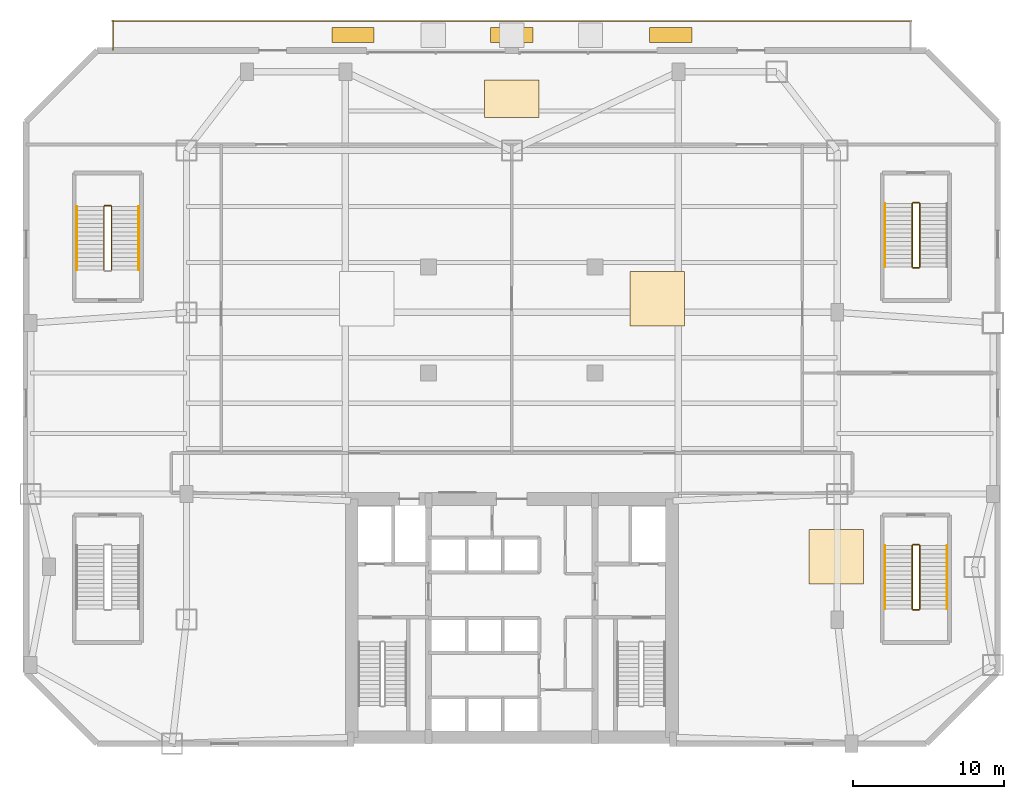
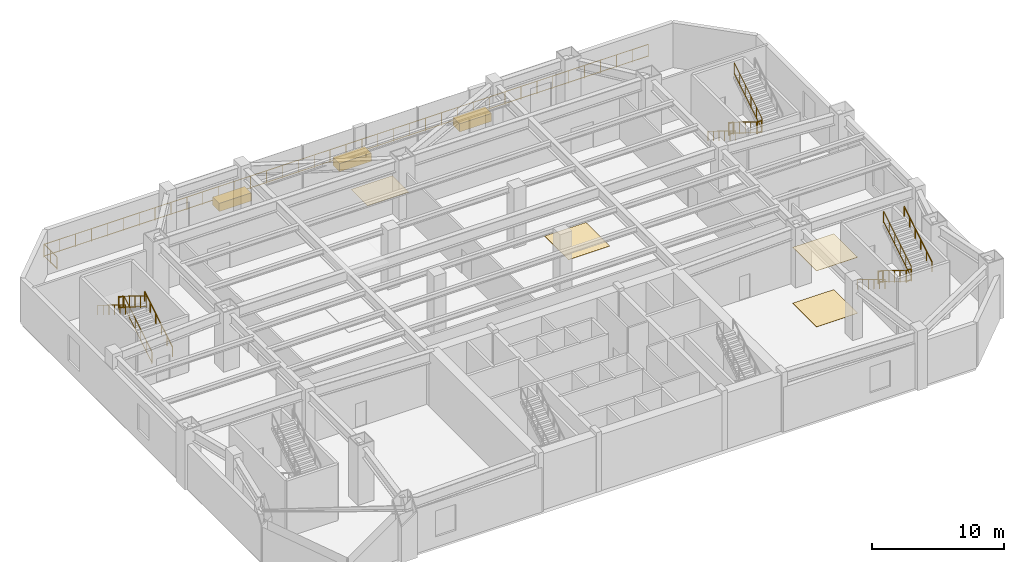
# One storey, part 8 of 9: 18 railings, 7 coverings.
"""IFC4 building model written with IfcOpenShell, lengths in metres."""

from ifc_helpers import new_model, si_unit, direction, frame, origin, origin_2d, place, context, subcontext, project, spatial, rectangle, extrude, source, transform, mapped, material, layer, layer_set, type_object, type_shapes, element, save


model = new_model("IFC4")

# Units and contexts
model_context = context("Model", 3, precision=1e-05, world=origin(), true_north=direction((0.0, 1.0)))
body_context = subcontext(model_context, "Body", "Model", "MODEL_VIEW")
ifc_project = project(units=[si_unit("LENGTHUNIT", "METRE"), si_unit("AREAUNIT", "SQUARE_METRE"), si_unit("VOLUMEUNIT", "CUBIC_METRE"), si_unit("PLANEANGLEUNIT", "RADIAN"), si_unit("MASSUNIT", "GRAM", prefix="KILO")], contexts=[model_context])

# Site, building, storey
site_placement = place(None, origin())
site = spatial("IfcSite", under=ifc_project, at=site_placement, CompositionType="ELEMENT")
building_placement = place(site_placement, origin())
building = spatial("IfcBuilding", under=site, at=building_placement, Name="Varnakhor Terracotta Tower", CompositionType="ELEMENT")
storey_placement = place(building_placement, frame((0.0, 0.0, 11.0)))
storey = spatial("IfcBuildingStorey", under=building, at=storey_placement, Name="L02", CompositionType="ELEMENT", Elevation=11.0)

# Railings
ifc_material_1 = material(Name="Painted Steel Stairwell Guardrail", Category="steel")
railing_type_1 = type_object("IfcRailingType", Name="RLG-STAIR-GUARD-1120", PredefinedType="GUARDRAIL", material=ifc_material_1)
railing_1_placement = place(storey_placement, frame((26.449951171875, 13.10009765625, 0.171875)))
element("IfcRailing", 1, at=railing_1_placement, inside=storey, type_object=railing_type_1, Name="L02 ST-P2 stair guard 1", PredefinedType="GUARDRAIL", context=body_context, shape_type="SweptSolid", body=[
    extrude(rectangle(XDim=0.048095703125, YDim=0.048095703125, at=origin_2d()), frame((0.0, 0.0, 1.09619140625), z_axis=(0.0, -0.852256472501, 0.523124177495), x_axis=(1.0, 0.0, 0.0)), (0.0, 0.0, 1.0), 4.92822265625),
    extrude(rectangle(XDim=0.048095703125, YDim=0.048095703125, at=origin_2d()), frame((0.0, 0.0, 0.10009765625), z_axis=(0.0, -0.852256472501, 0.523124177495), x_axis=(1.0, 0.0, 0.0)), (0.0, 0.0, 1.0), 4.92822265625),
    extrude(rectangle(XDim=0.0419921875, YDim=0.0419921875, at=origin_2d()), origin(), (0.0, 0.0, 1.0), 1.072021484375),
    extrude(rectangle(XDim=0.0419921875, YDim=0.0419921875, at=origin_2d()), frame((0.0, -0.840087890625, 0.515625)), (0.0, 0.0, 1.0), 1.072021484375),
    extrude(rectangle(XDim=0.0419921875, YDim=0.0419921875, at=origin_2d()), frame((0.0, -1.68017578125, 1.03125)), (0.0, 0.0, 1.0), 1.072021484375),
    extrude(rectangle(XDim=0.0419921875, YDim=0.0419921875, at=origin_2d()), frame((0.0, -2.52001953125, 1.546875)), (0.0, 0.0, 1.0), 1.072021484375),
    extrude(rectangle(XDim=0.0419921875, YDim=0.0419921875, at=origin_2d()), frame((0.0, -3.360107421875, 2.0625)), (0.0, 0.0, 1.0), 1.072021484375),
    extrude(rectangle(XDim=0.0419921875, YDim=0.0419921875, at=origin_2d()), frame((0.0, -4.2001953125, 2.578125)), (0.0, 0.0, 1.0), 1.072021484375),
])
railing_2_placement = place(storey_placement, frame((26.5, 8.85009765625, 2.75)))
element("IfcRailing", 2, at=railing_2_placement, inside=storey, type_object=railing_type_1, Name="L02 ST-P2 stair guard 2", PredefinedType="GUARDRAIL", context=body_context, shape_type="SweptSolid", body=[
    extrude(rectangle(XDim=0.048095703125, YDim=0.048095703125, at=origin_2d()), frame((0.0, 0.0, 1.09619140625), z_axis=(1.0, 0.0, 0.0), x_axis=(0.0, 1.0, 0.0)), (0.0, 0.0, 1.0), 0.39990234375),
    extrude(rectangle(XDim=0.048095703125, YDim=0.048095703125, at=origin_2d()), frame((0.0, 0.0, 0.10009765625), z_axis=(1.0, 0.0, 0.0), x_axis=(0.0, 1.0, 0.0)), (0.0, 0.0, 1.0), 0.39990234375),
    extrude(rectangle(XDim=0.0419921875, YDim=0.0419921875, at=origin_2d()), origin(), (0.0, 0.0, 1.0), 1.072021484375),
    extrude(rectangle(XDim=0.0419921875, YDim=0.0419921875, at=origin_2d()), frame((0.39990234375, 0.0, 0.0)), (0.0, 0.0, 1.0), 1.072021484375),
])
railing_3_placement = place(storey_placement, frame((26.949951171875, 8.89990234375, 2.921875)))
element("IfcRailing", 3, at=railing_3_placement, inside=storey, type_object=railing_type_1, Name="L02 ST-P2 stair guard 3", PredefinedType="GUARDRAIL", context=body_context, shape_type="SweptSolid", body=[
    extrude(rectangle(XDim=0.048095703125, YDim=0.048095703125, at=origin_2d()), frame((0.0, 0.0, 1.09619140625), z_axis=(0.0, 0.852256472501, 0.523124177495), x_axis=(-1.0, 0.0, 0.0)), (0.0, 0.0, 1.0), 4.92822265625),
    extrude(rectangle(XDim=0.048095703125, YDim=0.048095703125, at=origin_2d()), frame((0.0, 0.0, 0.10009765625), z_axis=(0.0, 0.852256472501, 0.523124177495), x_axis=(-1.0, 0.0, 0.0)), (0.0, 0.0, 1.0), 4.92822265625),
    extrude(rectangle(XDim=0.0419921875, YDim=0.0419921875, at=origin_2d()), origin(), (0.0, 0.0, 1.0), 1.072021484375),
    extrude(rectangle(XDim=0.0419921875, YDim=0.0419921875, at=origin_2d()), frame((0.0, 0.840087890625, 0.515625)), (0.0, 0.0, 1.0), 1.072021484375),
    extrude(rectangle(XDim=0.0419921875, YDim=0.0419921875, at=origin_2d()), frame((0.0, 1.68017578125, 1.03125)), (0.0, 0.0, 1.0), 1.072021484375),
    extrude(rectangle(XDim=0.0419921875, YDim=0.0419921875, at=origin_2d()), frame((0.0, 2.52001953125, 1.546875)), (0.0, 0.0, 1.0), 1.072021484375),
    extrude(rectangle(XDim=0.0419921875, YDim=0.0419921875, at=origin_2d()), frame((0.0, 3.360107421875, 2.0625)), (0.0, 0.0, 1.0), 1.072021484375),
    extrude(rectangle(XDim=0.0419921875, YDim=0.0419921875, at=origin_2d()), frame((0.0, 4.2001953125, 2.578125)), (0.0, 0.0, 1.0), 1.072021484375),
])
railing_4_placement = place(storey_placement, frame((26.5, 13.14990234375, 0.0)))
element("IfcRailing", 4, at=railing_4_placement, inside=storey, type_object=railing_type_1, Name="L02 ST-P2 stair guard 4", PredefinedType="GUARDRAIL", context=body_context, shape_type="SweptSolid", body=[
    extrude(rectangle(XDim=0.048095703125, YDim=0.048095703125, at=origin_2d()), frame((0.0, 0.0, 1.09619140625), z_axis=(1.0, 0.0, 0.0), x_axis=(0.0, 1.0, 0.0)), (0.0, 0.0, 1.0), 0.39990234375),
    extrude(rectangle(XDim=0.048095703125, YDim=0.048095703125, at=origin_2d()), frame((0.0, 0.0, 0.10009765625), z_axis=(1.0, 0.0, 0.0), x_axis=(0.0, 1.0, 0.0)), (0.0, 0.0, 1.0), 0.39990234375),
    extrude(rectangle(XDim=0.0419921875, YDim=0.0419921875, at=origin_2d()), origin(), (0.0, 0.0, 1.0), 1.072021484375),
    extrude(rectangle(XDim=0.0419921875, YDim=0.0419921875, at=origin_2d()), frame((0.39990234375, 0.0, 0.0)), (0.0, 0.0, 1.0), 1.072021484375),
])
railing_5_placement = place(storey_placement, frame((-26.449951171875, 31.300048828125, 0.171875)))
element("IfcRailing", 5, at=railing_5_placement, inside=storey, type_object=railing_type_1, Name="L02 ST-P3 stair guard 1", PredefinedType="GUARDRAIL", context=body_context, shape_type="SweptSolid", body=[
    extrude(rectangle(XDim=0.048095703125, YDim=0.048095703125, at=origin_2d()), frame((0.0, 0.0, 1.09619140625), z_axis=(0.0, 0.852242915053, 0.523146264196), x_axis=(-1.0, 0.0, 0.0)), (0.0, 0.0, 1.0), 4.92822265625),
    extrude(rectangle(XDim=0.048095703125, YDim=0.048095703125, at=origin_2d()), frame((0.0, 0.0, 0.10009765625), z_axis=(0.0, 0.852242915053, 0.523146264196), x_axis=(-1.0, 0.0, 0.0)), (0.0, 0.0, 1.0), 4.92822265625),
    extrude(rectangle(XDim=0.0419921875, YDim=0.0419921875, at=origin_2d()), origin(), (0.0, 0.0, 1.0), 1.072021484375),
    extrude(rectangle(XDim=0.0419921875, YDim=0.0419921875, at=origin_2d()), frame((0.0, 0.840087890625, 0.515625)), (0.0, 0.0, 1.0), 1.072021484375),
    extrude(rectangle(XDim=0.0419921875, YDim=0.0419921875, at=origin_2d()), frame((0.0, 1.679931640625, 1.03125)), (0.0, 0.0, 1.0), 1.072021484375),
    extrude(rectangle(XDim=0.0419921875, YDim=0.0419921875, at=origin_2d()), frame((0.0, 2.52001953125, 1.546875)), (0.0, 0.0, 1.0), 1.072021484375),
    extrude(rectangle(XDim=0.0419921875, YDim=0.0419921875, at=origin_2d()), frame((0.0, 3.35986328125, 2.0625)), (0.0, 0.0, 1.0), 1.072021484375),
    extrude(rectangle(XDim=0.0419921875, YDim=0.0419921875, at=origin_2d()), frame((0.0, 4.199951171875, 2.578125)), (0.0, 0.0, 1.0), 1.072021484375),
])
railing_6_placement = place(storey_placement, frame((-26.5, 35.550048828125, 2.75)))
element("IfcRailing", 6, at=railing_6_placement, inside=storey, type_object=railing_type_1, Name="L02 ST-P3 stair guard 2", PredefinedType="GUARDRAIL", context=body_context, shape_type="SweptSolid", body=[
    extrude(rectangle(XDim=0.048095703125, YDim=0.048095703125, at=origin_2d()), frame((0.0, 0.0, 1.09619140625), z_axis=(-1.0, 0.0, 0.0), x_axis=(0.0, -1.0, 0.0)), (0.0, 0.0, 1.0), 0.39990234375),
    extrude(rectangle(XDim=0.048095703125, YDim=0.048095703125, at=origin_2d()), frame((0.0, 0.0, 0.10009765625), z_axis=(-1.0, 0.0, 0.0), x_axis=(0.0, -1.0, 0.0)), (0.0, 0.0, 1.0), 0.39990234375),
    extrude(rectangle(XDim=0.0419921875, YDim=0.0419921875, at=origin_2d()), origin(), (0.0, 0.0, 1.0), 1.072021484375),
    extrude(rectangle(XDim=0.0419921875, YDim=0.0419921875, at=origin_2d()), frame((-0.39990234375, 0.0, 0.0)), (0.0, 0.0, 1.0), 1.072021484375),
])
for number, where, name in (
    (7, (-26.949951171875, 35.5, 2.921875), "L02 ST-P3 stair guard 3"),
    (8, (26.449951171875, 35.699951171875, 0.171875), "L02 ST-P4 stair guard 1"),
):
    element("IfcRailing", number, at=place(storey_placement, frame(where)), inside=storey, type_object=railing_type_1, Name=name, PredefinedType="GUARDRAIL", context=body_context, shape_type="SweptSolid", body=[
        extrude(rectangle(XDim=0.048095703125, YDim=0.048095703125, at=origin_2d()), frame((0.0, 0.0, 1.09619140625), z_axis=(0.0, -0.852242915053, 0.523146264196), x_axis=(1.0, 0.0, 0.0)), (0.0, 0.0, 1.0), 4.92822265625),
        extrude(rectangle(XDim=0.048095703125, YDim=0.048095703125, at=origin_2d()), frame((0.0, 0.0, 0.10009765625), z_axis=(0.0, -0.852242915053, 0.523146264196), x_axis=(1.0, 0.0, 0.0)), (0.0, 0.0, 1.0), 4.92822265625),
        extrude(rectangle(XDim=0.0419921875, YDim=0.0419921875, at=origin_2d()), origin(), (0.0, 0.0, 1.0), 1.072021484375),
        extrude(rectangle(XDim=0.0419921875, YDim=0.0419921875, at=origin_2d()), frame((0.0, -0.840087890625, 0.515625)), (0.0, 0.0, 1.0), 1.072021484375),
        extrude(rectangle(XDim=0.0419921875, YDim=0.0419921875, at=origin_2d()), frame((0.0, -1.679931640625, 1.03125)), (0.0, 0.0, 1.0), 1.072021484375),
        extrude(rectangle(XDim=0.0419921875, YDim=0.0419921875, at=origin_2d()), frame((0.0, -2.52001953125, 1.546875)), (0.0, 0.0, 1.0), 1.072021484375),
        extrude(rectangle(XDim=0.0419921875, YDim=0.0419921875, at=origin_2d()), frame((0.0, -3.35986328125, 2.0625)), (0.0, 0.0, 1.0), 1.072021484375),
        extrude(rectangle(XDim=0.0419921875, YDim=0.0419921875, at=origin_2d()), frame((0.0, -4.199951171875, 2.578125)), (0.0, 0.0, 1.0), 1.072021484375),
    ])
railing_7_placement = place(storey_placement, frame((26.5, 31.449951171875, 2.75)))
element("IfcRailing", 9, at=railing_7_placement, inside=storey, type_object=railing_type_1, Name="L02 ST-P4 stair guard 2", PredefinedType="GUARDRAIL", context=body_context, shape_type="SweptSolid", body=[
    extrude(rectangle(XDim=0.048095703125, YDim=0.048095703125, at=origin_2d()), frame((0.0, 0.0, 1.09619140625), z_axis=(1.0, 0.0, 0.0), x_axis=(0.0, 1.0, 0.0)), (0.0, 0.0, 1.0), 0.39990234375),
    extrude(rectangle(XDim=0.048095703125, YDim=0.048095703125, at=origin_2d()), frame((0.0, 0.0, 0.10009765625), z_axis=(1.0, 0.0, 0.0), x_axis=(0.0, 1.0, 0.0)), (0.0, 0.0, 1.0), 0.39990234375),
    extrude(rectangle(XDim=0.0419921875, YDim=0.0419921875, at=origin_2d()), origin(), (0.0, 0.0, 1.0), 1.072021484375),
    extrude(rectangle(XDim=0.0419921875, YDim=0.0419921875, at=origin_2d()), frame((0.39990234375, 0.0, 0.0)), (0.0, 0.0, 1.0), 1.072021484375),
])
railing_8_placement = place(storey_placement, frame((26.949951171875, 31.5, 2.921875)))
element("IfcRailing", 10, at=railing_8_placement, inside=storey, type_object=railing_type_1, Name="L02 ST-P4 stair guard 3", PredefinedType="GUARDRAIL", context=body_context, shape_type="SweptSolid", body=[
    extrude(rectangle(XDim=0.048095703125, YDim=0.048095703125, at=origin_2d()), frame((0.0, 0.0, 1.09619140625), z_axis=(0.0, 0.852242915053, 0.523146264196), x_axis=(-1.0, 0.0, 0.0)), (0.0, 0.0, 1.0), 4.92822265625),
    extrude(rectangle(XDim=0.048095703125, YDim=0.048095703125, at=origin_2d()), frame((0.0, 0.0, 0.10009765625), z_axis=(0.0, 0.852242915053, 0.523146264196), x_axis=(-1.0, 0.0, 0.0)), (0.0, 0.0, 1.0), 4.92822265625),
    extrude(rectangle(XDim=0.0419921875, YDim=0.0419921875, at=origin_2d()), origin(), (0.0, 0.0, 1.0), 1.072021484375),
    extrude(rectangle(XDim=0.0419921875, YDim=0.0419921875, at=origin_2d()), frame((0.0, 0.840087890625, 0.515625)), (0.0, 0.0, 1.0), 1.072021484375),
    extrude(rectangle(XDim=0.0419921875, YDim=0.0419921875, at=origin_2d()), frame((0.0, 1.679931640625, 1.03125)), (0.0, 0.0, 1.0), 1.072021484375),
    extrude(rectangle(XDim=0.0419921875, YDim=0.0419921875, at=origin_2d()), frame((0.0, 2.52001953125, 1.546875)), (0.0, 0.0, 1.0), 1.072021484375),
    extrude(rectangle(XDim=0.0419921875, YDim=0.0419921875, at=origin_2d()), frame((0.0, 3.35986328125, 2.0625)), (0.0, 0.0, 1.0), 1.072021484375),
    extrude(rectangle(XDim=0.0419921875, YDim=0.0419921875, at=origin_2d()), frame((0.0, 4.199951171875, 2.578125)), (0.0, 0.0, 1.0), 1.072021484375),
])
railing_9_placement = place(storey_placement, frame((26.5, 35.75, 0.0)))
element("IfcRailing", 11, at=railing_9_placement, inside=storey, type_object=railing_type_1, Name="L02 ST-P4 stair guard 4", PredefinedType="GUARDRAIL", context=body_context, shape_type="SweptSolid", body=[
    extrude(rectangle(XDim=0.048095703125, YDim=0.048095703125, at=origin_2d()), frame((0.0, 0.0, 1.09619140625), z_axis=(1.0, 0.0, 0.0), x_axis=(0.0, 1.0, 0.0)), (0.0, 0.0, 1.0), 0.39990234375),
    extrude(rectangle(XDim=0.048095703125, YDim=0.048095703125, at=origin_2d()), frame((0.0, 0.0, 0.10009765625), z_axis=(1.0, 0.0, 0.0), x_axis=(0.0, 1.0, 0.0)), (0.0, 0.0, 1.0), 0.39990234375),
    extrude(rectangle(XDim=0.0419921875, YDim=0.0419921875, at=origin_2d()), origin(), (0.0, 0.0, 1.0), 1.072021484375),
    extrude(rectangle(XDim=0.0419921875, YDim=0.0419921875, at=origin_2d()), frame((0.39990234375, 0.0, 0.0)), (0.0, 0.0, 1.0), 1.072021484375),
])
ifc_material_2 = material(Name="Brushed Stainless Steel Handrail", Category="steel")
railing_type_2 = type_object("IfcRailingType", Name="RLG-STAIR-HANDRAIL-920", PredefinedType="HANDRAIL", material=ifc_material_2)
railing_10_placement = place(storey_placement, frame((24.64990234375, 13.10009765625, 0.171875)))
element("IfcRailing", 12, at=railing_10_placement, inside=storey, type_object=railing_type_2, Name="L02 ST-P2 stair handrail 1", PredefinedType="HANDRAIL", context=body_context, shape_type="SweptSolid", body=[
    extrude(rectangle(XDim=0.048095703125, YDim=0.048095703125, at=origin_2d()), frame((0.0, 0.0, 0.89599609375), z_axis=(0.0, -0.852256472501, 0.523124177495), x_axis=(1.0, 0.0, 0.0)), (0.0, 0.0, 1.0), 4.92822265625),
    extrude(rectangle(XDim=0.0419921875, YDim=0.0419921875, at=origin_2d()), origin(), (0.0, 0.0, 1.0), 0.871826171875),
    extrude(rectangle(XDim=0.0419921875, YDim=0.0419921875, at=origin_2d()), frame((0.0, -0.840087890625, 0.515625)), (0.0, 0.0, 1.0), 0.871826171875),
    extrude(rectangle(XDim=0.0419921875, YDim=0.0419921875, at=origin_2d()), frame((0.0, -1.68017578125, 1.03125)), (0.0, 0.0, 1.0), 0.871826171875),
    extrude(rectangle(XDim=0.0419921875, YDim=0.0419921875, at=origin_2d()), frame((0.0, -2.52001953125, 1.546875)), (0.0, 0.0, 1.0), 0.871826171875),
    extrude(rectangle(XDim=0.0419921875, YDim=0.0419921875, at=origin_2d()), frame((0.0, -3.360107421875, 2.0625)), (0.0, 0.0, 1.0), 0.871826171875),
    extrude(rectangle(XDim=0.0419921875, YDim=0.0419921875, at=origin_2d()), frame((0.0, -4.2001953125, 2.578125)), (0.0, 0.0, 1.0), 0.871826171875),
])
railing_11_placement = place(storey_placement, frame((28.75, 8.89990234375, 2.921875)))
element("IfcRailing", 13, at=railing_11_placement, inside=storey, type_object=railing_type_2, Name="L02 ST-P2 stair handrail 2", PredefinedType="HANDRAIL", context=body_context, shape_type="SweptSolid", body=[
    extrude(rectangle(XDim=0.048095703125, YDim=0.048095703125, at=origin_2d()), frame((0.0, 0.0, 0.89599609375), z_axis=(0.0, 0.852256472501, 0.523124177495), x_axis=(-1.0, 0.0, 0.0)), (0.0, 0.0, 1.0), 4.92822265625),
    extrude(rectangle(XDim=0.0419921875, YDim=0.0419921875, at=origin_2d()), origin(), (0.0, 0.0, 1.0), 0.871826171875),
    extrude(rectangle(XDim=0.0419921875, YDim=0.0419921875, at=origin_2d()), frame((0.0, 0.840087890625, 0.515625)), (0.0, 0.0, 1.0), 0.871826171875),
    extrude(rectangle(XDim=0.0419921875, YDim=0.0419921875, at=origin_2d()), frame((0.0, 1.68017578125, 1.03125)), (0.0, 0.0, 1.0), 0.871826171875),
    extrude(rectangle(XDim=0.0419921875, YDim=0.0419921875, at=origin_2d()), frame((0.0, 2.52001953125, 1.546875)), (0.0, 0.0, 1.0), 0.871826171875),
    extrude(rectangle(XDim=0.0419921875, YDim=0.0419921875, at=origin_2d()), frame((0.0, 3.360107421875, 2.0625)), (0.0, 0.0, 1.0), 0.871826171875),
    extrude(rectangle(XDim=0.0419921875, YDim=0.0419921875, at=origin_2d()), frame((0.0, 4.2001953125, 2.578125)), (0.0, 0.0, 1.0), 0.871826171875),
])
railing_12_placement = place(storey_placement, frame((-24.64990234375, 31.300048828125, 0.171875)))
element("IfcRailing", 14, at=railing_12_placement, inside=storey, type_object=railing_type_2, Name="L02 ST-P3 stair handrail 1", PredefinedType="HANDRAIL", context=body_context, shape_type="SweptSolid", body=[
    extrude(rectangle(XDim=0.048095703125, YDim=0.048095703125, at=origin_2d()), frame((0.0, 0.0, 0.89599609375), z_axis=(0.0, 0.852242915053, 0.523146264196), x_axis=(-1.0, 0.0, 0.0)), (0.0, 0.0, 1.0), 4.92822265625),
    extrude(rectangle(XDim=0.0419921875, YDim=0.0419921875, at=origin_2d()), origin(), (0.0, 0.0, 1.0), 0.871826171875),
    extrude(rectangle(XDim=0.0419921875, YDim=0.0419921875, at=origin_2d()), frame((0.0, 0.840087890625, 0.515625)), (0.0, 0.0, 1.0), 0.871826171875),
    extrude(rectangle(XDim=0.0419921875, YDim=0.0419921875, at=origin_2d()), frame((0.0, 1.679931640625, 1.03125)), (0.0, 0.0, 1.0), 0.871826171875),
    extrude(rectangle(XDim=0.0419921875, YDim=0.0419921875, at=origin_2d()), frame((0.0, 2.52001953125, 1.546875)), (0.0, 0.0, 1.0), 0.871826171875),
    extrude(rectangle(XDim=0.0419921875, YDim=0.0419921875, at=origin_2d()), frame((0.0, 3.35986328125, 2.0625)), (0.0, 0.0, 1.0), 0.871826171875),
    extrude(rectangle(XDim=0.0419921875, YDim=0.0419921875, at=origin_2d()), frame((0.0, 4.199951171875, 2.578125)), (0.0, 0.0, 1.0), 0.871826171875),
])
for number, where, name in (
    (15, (-28.75, 35.5, 2.921875), "L02 ST-P3 stair handrail 2"),
    (16, (24.64990234375, 35.699951171875, 0.171875), "L02 ST-P4 stair handrail 1"),
):
    element("IfcRailing", number, at=place(storey_placement, frame(where)), inside=storey, type_object=railing_type_2, Name=name, PredefinedType="HANDRAIL", context=body_context, shape_type="SweptSolid", body=[
        extrude(rectangle(XDim=0.048095703125, YDim=0.048095703125, at=origin_2d()), frame((0.0, 0.0, 0.89599609375), z_axis=(0.0, -0.852242915053, 0.523146264196), x_axis=(1.0, 0.0, 0.0)), (0.0, 0.0, 1.0), 4.92822265625),
        extrude(rectangle(XDim=0.0419921875, YDim=0.0419921875, at=origin_2d()), origin(), (0.0, 0.0, 1.0), 0.871826171875),
        extrude(rectangle(XDim=0.0419921875, YDim=0.0419921875, at=origin_2d()), frame((0.0, -0.840087890625, 0.515625)), (0.0, 0.0, 1.0), 0.871826171875),
        extrude(rectangle(XDim=0.0419921875, YDim=0.0419921875, at=origin_2d()), frame((0.0, -1.679931640625, 1.03125)), (0.0, 0.0, 1.0), 0.871826171875),
        extrude(rectangle(XDim=0.0419921875, YDim=0.0419921875, at=origin_2d()), frame((0.0, -2.52001953125, 1.546875)), (0.0, 0.0, 1.0), 0.871826171875),
        extrude(rectangle(XDim=0.0419921875, YDim=0.0419921875, at=origin_2d()), frame((0.0, -3.35986328125, 2.0625)), (0.0, 0.0, 1.0), 0.871826171875),
        extrude(rectangle(XDim=0.0419921875, YDim=0.0419921875, at=origin_2d()), frame((0.0, -4.199951171875, 2.578125)), (0.0, 0.0, 1.0), 0.871826171875),
    ])
ifc_material_3 = material(Name="Terracotta & Brushed Steel Balustrade", Category="masonry")
railing_type_3 = type_object("IfcRailingType", Name="RLG-TERRACE-GUARD-1200", PredefinedType="BALUSTRADE", material=ifc_material_3)
railing_13_placement = place(storey_placement, frame((-26.39990234375, 47.75, 0.0)))
element("IfcRailing", 17, at=railing_13_placement, inside=storey, type_object=railing_type_3, Name="L02 Terrace Stone Parapet Guard 1", PredefinedType="BALUSTRADE", context=body_context, shape_type="SweptSolid", body=[
    extrude(rectangle(XDim=0.048095703125, YDim=0.048095703125, at=origin_2d()), frame((0.0, 0.0, 1.17578125), z_axis=(1.0, 0.0, 0.0), x_axis=(0.0, 1.0, 0.0)), (0.0, 0.0, 1.0), 52.7998046875),
    extrude(rectangle(XDim=0.048095703125, YDim=0.048095703125, at=origin_2d()), frame((0.0, 0.0, 0.10009765625), z_axis=(1.0, 0.0, 0.0), x_axis=(0.0, 1.0, 0.0)), (0.0, 0.0, 1.0), 52.7998046875),
    extrude(rectangle(XDim=0.0419921875, YDim=0.0419921875, at=origin_2d()), origin(), (0.0, 0.0, 1.0), 1.15185546875),
    extrude(rectangle(XDim=0.0419921875, YDim=0.0419921875, at=origin_2d()), frame((1.389404296875, 0.0, 0.0)), (0.0, 0.0, 1.0), 1.15185546875),
    extrude(rectangle(XDim=0.0419921875, YDim=0.0419921875, at=origin_2d()), frame((2.779052734375, 0.0, 0.0)), (0.0, 0.0, 1.0), 1.15185546875),
    extrude(rectangle(XDim=0.0419921875, YDim=0.0419921875, at=origin_2d()), frame((4.16845703125, 0.0, 0.0)), (0.0, 0.0, 1.0), 1.15185546875),
    extrude(rectangle(XDim=0.0419921875, YDim=0.0419921875, at=origin_2d()), frame((5.557861328125, 0.0, 0.0)), (0.0, 0.0, 1.0), 1.15185546875),
    extrude(rectangle(XDim=0.0419921875, YDim=0.0419921875, at=origin_2d()), frame((6.947265625, 0.0, 0.0)), (0.0, 0.0, 1.0), 1.15185546875),
    extrude(rectangle(XDim=0.0419921875, YDim=0.0419921875, at=origin_2d()), frame((8.3369140625, 0.0, 0.0)), (0.0, 0.0, 1.0), 1.15185546875),
    extrude(rectangle(XDim=0.0419921875, YDim=0.0419921875, at=origin_2d()), frame((9.726318359375, 0.0, 0.0)), (0.0, 0.0, 1.0), 1.15185546875),
    extrude(rectangle(XDim=0.0419921875, YDim=0.0419921875, at=origin_2d()), frame((11.11572265625, 0.0, 0.0)), (0.0, 0.0, 1.0), 1.15185546875),
    extrude(rectangle(XDim=0.0419921875, YDim=0.0419921875, at=origin_2d()), frame((12.505126953125, 0.0, 0.0)), (0.0, 0.0, 1.0), 1.15185546875),
    extrude(rectangle(XDim=0.0419921875, YDim=0.0419921875, at=origin_2d()), frame((13.894775390625, 0.0, 0.0)), (0.0, 0.0, 1.0), 1.15185546875),
    extrude(rectangle(XDim=0.0419921875, YDim=0.0419921875, at=origin_2d()), frame((15.2841796875, 0.0, 0.0)), (0.0, 0.0, 1.0), 1.15185546875),
    extrude(rectangle(XDim=0.0419921875, YDim=0.0419921875, at=origin_2d()), frame((16.673583984375, 0.0, 0.0)), (0.0, 0.0, 1.0), 1.15185546875),
    extrude(rectangle(XDim=0.0419921875, YDim=0.0419921875, at=origin_2d()), frame((18.06298828125, 0.0, 0.0)), (0.0, 0.0, 1.0), 1.15185546875),
    extrude(rectangle(XDim=0.0419921875, YDim=0.0419921875, at=origin_2d()), frame((19.45263671875, 0.0, 0.0)), (0.0, 0.0, 1.0), 1.15185546875),
    extrude(rectangle(XDim=0.0419921875, YDim=0.0419921875, at=origin_2d()), frame((20.842041015625, 0.0, 0.0)), (0.0, 0.0, 1.0), 1.15185546875),
    extrude(rectangle(XDim=0.0419921875, YDim=0.0419921875, at=origin_2d()), frame((22.2314453125, 0.0, 0.0)), (0.0, 0.0, 1.0), 1.15185546875),
    extrude(rectangle(XDim=0.0419921875, YDim=0.0419921875, at=origin_2d()), frame((23.620849609375, 0.0, 0.0)), (0.0, 0.0, 1.0), 1.15185546875),
    extrude(rectangle(XDim=0.0419921875, YDim=0.0419921875, at=origin_2d()), frame((25.010498046875, 0.0, 0.0)), (0.0, 0.0, 1.0), 1.15185546875),
    extrude(rectangle(XDim=0.0419921875, YDim=0.0419921875, at=origin_2d()), frame((26.39990234375, 0.0, 0.0)), (0.0, 0.0, 1.0), 1.15185546875),
    extrude(rectangle(XDim=0.0419921875, YDim=0.0419921875, at=origin_2d()), frame((27.789306640625, 0.0, 0.0)), (0.0, 0.0, 1.0), 1.15185546875),
    extrude(rectangle(XDim=0.0419921875, YDim=0.0419921875, at=origin_2d()), frame((29.178955078125, 0.0, 0.0)), (0.0, 0.0, 1.0), 1.15185546875),
    extrude(rectangle(XDim=0.0419921875, YDim=0.0419921875, at=origin_2d()), frame((30.568359375, 0.0, 0.0)), (0.0, 0.0, 1.0), 1.15185546875),
    extrude(rectangle(XDim=0.0419921875, YDim=0.0419921875, at=origin_2d()), frame((31.957763671875, 0.0, 0.0)), (0.0, 0.0, 1.0), 1.15185546875),
    extrude(rectangle(XDim=0.0419921875, YDim=0.0419921875, at=origin_2d()), frame((33.34716796875, 0.0, 0.0)), (0.0, 0.0, 1.0), 1.15185546875),
    extrude(rectangle(XDim=0.0419921875, YDim=0.0419921875, at=origin_2d()), frame((34.73681640625, 0.0, 0.0)), (0.0, 0.0, 1.0), 1.15185546875),
    extrude(rectangle(XDim=0.0419921875, YDim=0.0419921875, at=origin_2d()), frame((36.126220703125, 0.0, 0.0)), (0.0, 0.0, 1.0), 1.15185546875),
    extrude(rectangle(XDim=0.0419921875, YDim=0.0419921875, at=origin_2d()), frame((37.515625, 0.0, 0.0)), (0.0, 0.0, 1.0), 1.15185546875),
    extrude(rectangle(XDim=0.0419921875, YDim=0.0419921875, at=origin_2d()), frame((38.905029296875, 0.0, 0.0)), (0.0, 0.0, 1.0), 1.15185546875),
    extrude(rectangle(XDim=0.0419921875, YDim=0.0419921875, at=origin_2d()), frame((40.294677734375, 0.0, 0.0)), (0.0, 0.0, 1.0), 1.15185546875),
    extrude(rectangle(XDim=0.0419921875, YDim=0.0419921875, at=origin_2d()), frame((41.68408203125, 0.0, 0.0)), (0.0, 0.0, 1.0), 1.15185546875),
    extrude(rectangle(XDim=0.0419921875, YDim=0.0419921875, at=origin_2d()), frame((43.073486328125, 0.0, 0.0)), (0.0, 0.0, 1.0), 1.15185546875),
    extrude(rectangle(XDim=0.0419921875, YDim=0.0419921875, at=origin_2d()), frame((44.462890625, 0.0, 0.0)), (0.0, 0.0, 1.0), 1.15185546875),
    extrude(rectangle(XDim=0.0419921875, YDim=0.0419921875, at=origin_2d()), frame((45.8525390625, 0.0, 0.0)), (0.0, 0.0, 1.0), 1.15185546875),
    extrude(rectangle(XDim=0.0419921875, YDim=0.0419921875, at=origin_2d()), frame((47.241943359375, 0.0, 0.0)), (0.0, 0.0, 1.0), 1.15185546875),
    extrude(rectangle(XDim=0.0419921875, YDim=0.0419921875, at=origin_2d()), frame((48.63134765625, 0.0, 0.0)), (0.0, 0.0, 1.0), 1.15185546875),
    extrude(rectangle(XDim=0.0419921875, YDim=0.0419921875, at=origin_2d()), frame((50.020751953125, 0.0, 0.0)), (0.0, 0.0, 1.0), 1.15185546875),
    extrude(rectangle(XDim=0.0419921875, YDim=0.0419921875, at=origin_2d()), frame((51.410400390625, 0.0, 0.0)), (0.0, 0.0, 1.0), 1.15185546875),
    extrude(rectangle(XDim=0.0419921875, YDim=0.0419921875, at=origin_2d()), frame((52.7998046875, 0.0, 0.0)), (0.0, 0.0, 1.0), 1.15185546875),
])
railing_14_placement = place(storey_placement, frame((-26.35009765625, 45.840087890625, 0.0)))
element("IfcRailing", 18, at=railing_14_placement, inside=storey, type_object=railing_type_3, Name="L02 Terrace Stone Parapet Guard 4", PredefinedType="BALUSTRADE", context=body_context, shape_type="SweptSolid", body=[
    extrude(rectangle(XDim=0.048095703125, YDim=0.048095703125, at=origin_2d()), frame((0.0, 0.0, 1.17578125), z_axis=(0.0, 1.0, 0.0), x_axis=(-1.0, 0.0, 0.0)), (0.0, 0.0, 1.0), 1.9599609375),
    extrude(rectangle(XDim=0.048095703125, YDim=0.048095703125, at=origin_2d()), frame((0.0, 0.0, 0.10009765625), z_axis=(0.0, 1.0, 0.0), x_axis=(-1.0, 0.0, 0.0)), (0.0, 0.0, 1.0), 1.9599609375),
    extrude(rectangle(XDim=0.0419921875, YDim=0.0419921875, at=origin_2d()), origin(), (0.0, 0.0, 1.0), 1.15185546875),
    extrude(rectangle(XDim=0.0419921875, YDim=0.0419921875, at=origin_2d()), frame((0.0, 0.97998046875, 0.0)), (0.0, 0.0, 1.0), 1.15185546875),
    extrude(rectangle(XDim=0.0419921875, YDim=0.0419921875, at=origin_2d()), frame((0.0, 1.9599609375, 0.0)), (0.0, 0.0, 1.0), 1.15185546875),
])

# Coverings
ifc_material_4 = material(Name="Planted Terracotta Garden Substrate Bed", Category="masonry")
ifc_layer_1 = layer(ifc_material_4, 0.449951171875, Name="Planted Terracotta Garden Substrate Bed")
ifc_layer_set_1 = layer_set([ifc_layer_1], Name="Planted Terracotta Garden Substrate Bed")
covering_type_1 = type_object("IfcCoveringType", Name="PLANTER TERRACOTTA BED", PredefinedType="USERDEFINED", material=ifc_layer_set_1)
shared_shape_1 = source(origin(), body_context, "Body", "SweptSolid", [
    extrude(rectangle(XDim=2.800048828125, YDim=1.0, at=origin_2d()), origin(), (0.0, 0.0, 1.0), 0.75),
])
type_shapes(covering_type_1, [shared_shape_1])
for number, where, z_axis, x_axis, name in (
    (19, (-10.5, 46.820068359375, 0.0), (0.0, 0.0, 1.0), (1.0, 0.0, 0.0), "L02 Terrace Landscaped Planter 1"),
    (20, (0.0, 46.820068359375, 0.0), (0.0, 0.0, 1.0), (1.0, 0.0, 0.0), "L02 Terrace Landscaped Planter 2"),
    (21, (10.5, 46.820068359375, 0.0), (0.0, 0.0, 1.0), (1.0, 0.0, 0.0), "L02 Terrace Landscaped Planter 3"),
):
    element("IfcCovering", number, at=place(storey_placement, frame(where, z_axis=z_axis, x_axis=x_axis)), inside=storey, type_object=covering_type_1, Name=name, ObjectType="PLANTER", PredefinedType="USERDEFINED", context=body_context, shape_type="MappedRepresentation", body=[
        mapped(shared_shape_1, transform((0.0, 0.0, 0.0), scale=1.0)),
    ])
ifc_material_5 = material(Name="Honed Riyadh Limestone Flooring", Category="masonry")
ifc_layer_2 = layer(ifc_material_5, 0.030029296875, Name="Honed Riyadh Limestone Flooring")
ifc_layer_set_2 = layer_set([ifc_layer_2], Name="Honed Riyadh Limestone Flooring")
covering_type_2 = type_object("IfcCoveringType", Name="COV-FLOOR-LIMESTONE", PredefinedType="FLOORING", material=ifc_layer_set_2)
shared_shape_2 = source(origin(), body_context, "Body", "SweptSolid", [
    extrude(rectangle(XDim=3.60009765625, YDim=3.60009765625, at=origin_2d()), origin(), (0.0, 0.0, 1.0), 0.02001953125),
])
for number, where, z_axis, x_axis, name in (
    (22, (21.419921875, 12.35205078125, 0.0), (0.0, 0.0, 1.0), (1.0, 0.0, 0.0), "L02 Honed Stone Flooring 1"),
    (23, (9.597900390625, 29.39990234375, 0.0), (0.0, 0.0, 1.0), (1.0, 0.0, 0.0), "L02 Honed Stone Flooring 3"),
):
    element("IfcCovering", number, at=place(storey_placement, frame(where, z_axis=z_axis, x_axis=x_axis)), inside=storey, type_object=covering_type_2, Name=name, PredefinedType="FLOORING", context=body_context, shape_type="MappedRepresentation", body=[
        mapped(shared_shape_2, transform((0.0, 0.0, 0.0), scale=1.0)),
    ])
ifc_material_6 = material(Name="Perforated Acoustic Mineral-Fibre Ceiling", Category="gypsum")
ifc_layer_3 = layer(ifc_material_6, 0.02490234375, Name="Perforated Acoustic Mineral-Fibre Ceiling")
ifc_layer_set_3 = layer_set([ifc_layer_3], Name="Perforated Acoustic Mineral-Fibre Ceiling")
covering_type_3 = type_object("IfcCoveringType", Name="COV-CEILING-ACOUSTIC", PredefinedType="CEILING", material=ifc_layer_set_3)
shared_shape_3 = source(origin(), body_context, "Body", "SweptSolid", [
    extrude(rectangle(XDim=3.60009765625, YDim=3.60009765625, at=origin_2d()), origin(), (0.0, 0.0, 1.0), 0.02392578125),
])
covering_1_placement = place(storey_placement, frame((21.419921875, 12.35205078125, 5.1611328125), z_axis=(0.0, 0.0, 1.0), x_axis=(1.0, 0.0, 0.0)))
element("IfcCovering", 24, at=covering_1_placement, inside=storey, type_object=covering_type_3, Name="L02 Acoustic Ceiling Panel 1", PredefinedType="CEILING", context=body_context, shape_type="MappedRepresentation", body=[
    mapped(shared_shape_3, transform((0.0, 0.0, 0.0), scale=1.0)),
])
shared_shape_4 = source(origin(), body_context, "Body", "SweptSolid", [
    extrude(rectangle(XDim=3.60009765625, YDim=2.487060546875, at=origin_2d()), origin(), (0.0, 0.0, 1.0), 0.02001953125),
])
covering_2_placement = place(storey_placement, frame((0.0, 42.60888671875, 0.0), z_axis=(0.0, 0.0, 1.0), x_axis=(1.0, 0.0, 0.0)))
element("IfcCovering", 25, at=covering_2_placement, inside=storey, type_object=covering_type_2, Name="L02 Honed Stone Flooring 4", PredefinedType="FLOORING", context=body_context, shape_type="MappedRepresentation", body=[
    mapped(shared_shape_4, transform((0.0, 0.0, 0.0), scale=1.0)),
])

save(model, "model.ifc")
